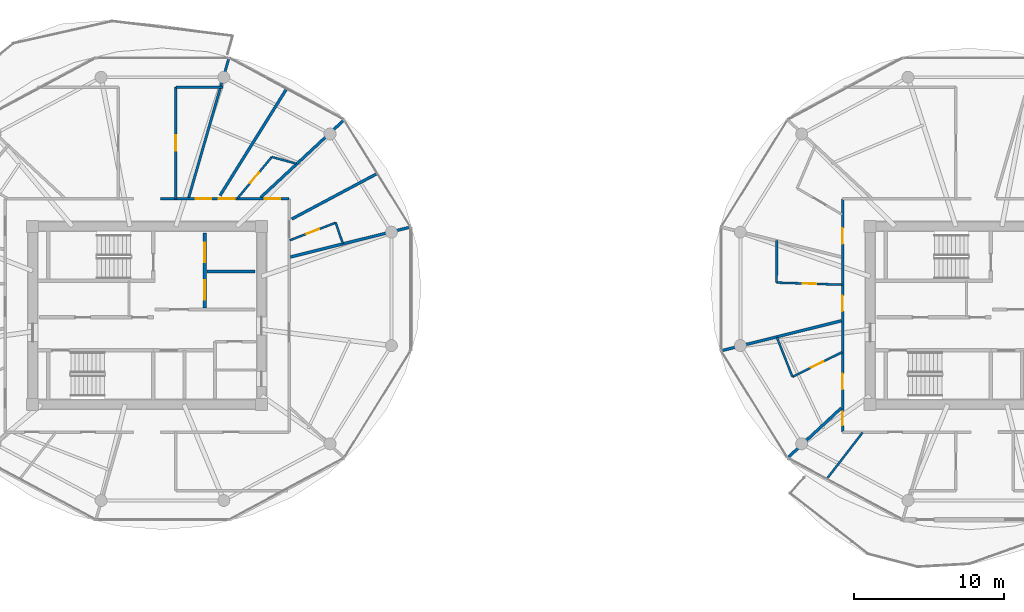
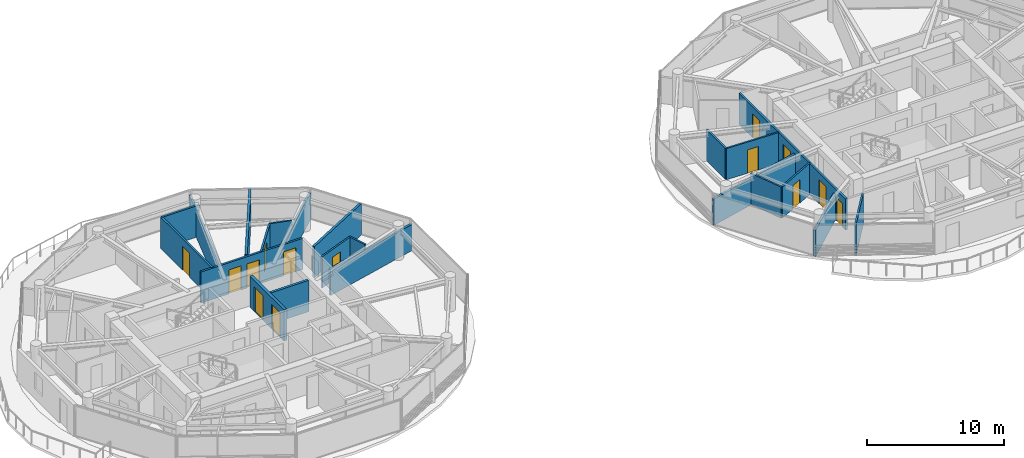
# One storey, part 14 of 22: 22 walls, 14 doors, 14 openings.
"""IFC4 building model written with IfcOpenShell, lengths in metres."""

from ifc_helpers import new_model, si_unit, direction, frame, frame_2d, origin, place, context, subcontext, project, spatial, rectangle, extrude, source, transform, mapped, material, layer, layer_set, type_object, type_shapes, element, fill, save


model = new_model("IFC4")

# Units and contexts
model_context = context("Model", 3, precision=1e-05, world=origin(), true_north=direction((0.0, 1.0)))
body_context = subcontext(model_context, "Body", "Model", "MODEL_VIEW")
ifc_project = project(units=[si_unit("LENGTHUNIT", "METRE"), si_unit("AREAUNIT", "SQUARE_METRE"), si_unit("VOLUMEUNIT", "CUBIC_METRE"), si_unit("PLANEANGLEUNIT", "RADIAN"), si_unit("MASSUNIT", "GRAM", prefix="KILO")], contexts=[model_context])

# Site, building, storey
site_placement = place(None, origin())
site = spatial("IfcSite", under=ifc_project, at=site_placement, CompositionType="ELEMENT")
building_placement = place(site_placement, origin())
building = spatial("IfcBuilding", under=site, at=building_placement, Name="Norrkilde Senior Care Towers", CompositionType="ELEMENT")
storey_placement = place(building_placement, frame((0.0, 0.0, 152.60009765625)))
storey = spatial("IfcBuildingStorey", under=building, at=storey_placement, Name="L47", CompositionType="ELEMENT", Elevation=152.60009765625)

# Wall, openings, doors
ifc_material_1 = material(Name="Concrete C45/55", Category="concrete")
ifc_layer_1 = layer(ifc_material_1, 0.239990234375)
ifc_layer_set_1 = layer_set([ifc_layer_1], Name="Concrete C45/55")
wall_type_1 = type_object("IfcWallType", Name="Lift and Plant Rated Enclosure Partition 240", PredefinedType="PARTITIONING", material=ifc_layer_set_1)
shared_shape_1 = source(origin(), body_context, "Body", "SweptSolid", [
    extrude(rectangle(XDim=5.0, YDim=0.239990234375, at=frame_2d((2.5, 0.0))), origin(), (0.0, 0.0, 1.0), 2.794921875),
])
type_shapes(wall_type_1, [shared_shape_1])
wall_1_placement = place(storey_placement, frame((-24.139892578125, 0.5, 0.0), z_axis=(0.0, 0.0, 1.0), x_axis=(0.0, 1.0, 0.0)))
wall_1 = element("IfcWall", 1, at=wall_1_placement, inside=storey, type_object=wall_type_1, Name="WL-INT-L47-W-FFLE", PredefinedType="PARTITIONING", context=body_context, shape_type="MappedRepresentation", body=[
    mapped(shared_shape_1, transform((0.0, 0.0, 0.0), x_axis=(1.0, 0.0, 0.0), y_axis=(0.0, 1.0, 0.0), z_axis=(0.0, 0.0, 1.0), scale=1.0)),
])
opening_1_placement = place(wall_1_placement, frame((3.050048828125, 0.0, 0.0)))
opening_1 = element("IfcOpeningElement", 2, at=opening_1_placement, cuts=wall_1, Name="Opening LD-02", PredefinedType="OPENING", context=body_context, shape_type="SweptSolid", body=[
    extrude(rectangle(XDim=1.300048828125, YDim=2.199951171875, at=frame_2d((0.64990234375, 1.10009765625))), frame((0.0, 0.1298828125, 0.0), z_axis=(0.0, -1.0, 0.0), x_axis=(1.0, 0.0, 0.0)), (0.0, 0.0, 1.0), 0.260009765625),
])
opening_2_placement = place(wall_1_placement, frame((0.550048828125, 0.0, 0.0)))
opening_2 = element("IfcOpeningElement", 3, at=opening_2_placement, cuts=wall_1, Name="Opening LD-02", PredefinedType="OPENING", context=body_context, shape_type="SweptSolid", body=[
    extrude(rectangle(XDim=1.300048828125, YDim=2.199951171875, at=frame_2d((0.64990234375, 1.10009765625))), frame((0.0, 0.1298828125, 0.0), z_axis=(0.0, -1.0, 0.0), x_axis=(1.0, 0.0, 0.0)), (0.0, 0.0, 1.0), 0.260009765625),
])
ifc_material_2 = material(Name="Stainless Steel", Category="steel")
door_type_1 = type_object("IfcDoorType", Name="Stretcher and FFL Landing Sliding Door 1300x2200", OperationType="NOTDEFINED", PredefinedType="DOOR", material=ifc_material_2)
shared_shape_2 = source(origin(), body_context, "Body", "SweptSolid", [
    extrude(rectangle(XDim=1.300048828125, YDim=2.199951171875, at=frame_2d((0.64990234375, 1.10009765625))), frame((0.0, 0.02490234375, 0.0), z_axis=(0.0, -1.0, 0.0), x_axis=(1.0, 0.0, 0.0)), (0.0, 0.0, 1.0), 0.050048828125),
])
type_shapes(door_type_1, [shared_shape_2])
door_1_placement = place(opening_1_placement, origin())
door_1 = element("IfcDoor", 4, at=door_1_placement, inside=storey, type_object=door_type_1, Name="L47 Firefighting Lift W1 Landing Door", OperationType="SLIDING_TO_LEFT", OverallHeight=2.199951171875, OverallWidth=1.300048828125, PredefinedType="DOOR", context=body_context, shape_type="MappedRepresentation", body=[
    mapped(shared_shape_2, transform((0.0, 0.0, 0.0), x_axis=(1.0, 0.0, 0.0), y_axis=(0.0, 1.0, 0.0), z_axis=(0.0, 0.0, 1.0), scale=1.0)),
])
fill(opening_1, door_1)
door_2_placement = place(opening_2_placement, origin())
door_2 = element("IfcDoor", 5, at=door_2_placement, inside=storey, type_object=door_type_1, Name="L47 Stretcher Lift W1 Landing Door", OperationType="SLIDING_TO_RIGHT", OverallHeight=2.199951171875, OverallWidth=1.300048828125, PredefinedType="DOOR", context=body_context, shape_type="MappedRepresentation", body=[
    mapped(shared_shape_2, transform((0.0, 0.0, 0.0), x_axis=(1.0, 0.0, 0.0), y_axis=(0.0, 1.0, 0.0), z_axis=(0.0, 0.0, 1.0), scale=1.0)),
])
fill(opening_2, door_2)

# Wall
ifc_layer_2 = layer(ifc_material_1, 0.199951171875)
ifc_layer_set_2 = layer_set([ifc_layer_2], Name="Concrete C45/55")
wall_type_2 = type_object("IfcWallType", Name="Shaft Division and Plant Partition 200", PredefinedType="PARTITIONING", material=ifc_layer_set_2)
shared_shape_3 = source(origin(), body_context, "Body", "SweptSolid", [
    extrude(rectangle(XDim=3.199951171875, YDim=0.199951171875, at=frame_2d((1.60009765625, 0.0))), origin(), (0.0, 0.0, 1.0), 2.794921875),
])
type_shapes(wall_type_2, [shared_shape_3])
wall_2_placement = place(storey_placement, frame((-24.0, 2.949951171875, 0.0), z_axis=(0.0, 0.0, 1.0), x_axis=(1.0, 0.0, 0.0)))
element("IfcWall", 6, at=wall_2_placement, inside=storey, type_object=wall_type_2, Name="WL-INT-L47-W-FFLDIV", PredefinedType="PARTITIONING", context=body_context, shape_type="MappedRepresentation", body=[
    mapped(shared_shape_3, transform((0.0, 0.0, 0.0), x_axis=(1.0, 0.0, 0.0), y_axis=(0.0, 1.0, 0.0), z_axis=(0.0, 0.0, 1.0), scale=1.0)),
])

# Wall, openings, doors
ifc_material_3 = material(Name="Gypsum Acoustic Board")
ifc_layer_3 = layer(ifc_material_3, 0.1650390625)
ifc_layer_set_3 = layer_set([ifc_layer_3], Name="Gypsum Acoustic Board")
wall_type_3 = type_object("IfcWallType", Name="Corridor Rated Partition 165", PredefinedType="PARTITIONING", material=ifc_layer_set_3)
shared_shape_4 = source(origin(), body_context, "Body", "SweptSolid", [
    extrude(rectangle(XDim=8.60009765625, YDim=0.1650390625, at=frame_2d((4.300048828125, 0.0))), origin(), (0.0, 0.0, 1.0), 2.794921875),
])
wall_3_placement = place(storey_placement, frame((-27.10009765625, 7.800048828125, 0.0), z_axis=(0.0, 0.0, 1.0), x_axis=(1.0, 0.0, 0.0)))
wall_3 = element("IfcWall", 7, at=wall_3_placement, inside=storey, type_object=wall_type_3, Name="WL-INT-L47-W-CRW-N-1", PredefinedType="PARTITIONING", context=body_context, shape_type="MappedRepresentation", body=[
    mapped(shared_shape_4, transform((0.0, 0.0, 0.0), x_axis=(1.0, 0.0, 0.0), y_axis=(0.0, 1.0, 0.0), z_axis=(0.0, 0.0, 1.0), scale=1.0)),
])
opening_3_placement = place(wall_3_placement, frame((6.9599609375, 0.0, 0.0)))
opening_3 = element("IfcOpeningElement", 8, at=opening_3_placement, cuts=wall_3, Name="Opening D-06", PredefinedType="OPENING", context=body_context, shape_type="SweptSolid", body=[
    extrude(rectangle(XDim=1.050048828125, YDim=2.14990234375, at=frame_2d((0.52490234375, 1.074951171875))), frame((0.0, 0.092529296875, 0.0), z_axis=(0.0, -1.0, 0.0), x_axis=(1.0, 0.0, 0.0)), (0.0, 0.0, 1.0), 0.18505859375),
])
opening_4_placement = place(wall_3_placement, frame((3.904052734375, 0.0, 0.0)))
opening_4 = element("IfcOpeningElement", 9, at=opening_4_placement, cuts=wall_3, Name="Opening D-06", PredefinedType="OPENING", context=body_context, shape_type="SweptSolid", body=[
    extrude(rectangle(XDim=1.050048828125, YDim=2.14990234375, at=frame_2d((0.52490234375, 1.074951171875))), frame((0.0, 0.092529296875, 0.0), z_axis=(0.0, -1.0, 0.0), x_axis=(1.0, 0.0, 0.0)), (0.0, 0.0, 1.0), 0.18505859375),
])
opening_5_placement = place(wall_3_placement, frame((2.347412109375, 0.0, 0.0)))
opening_5 = element("IfcOpeningElement", 10, at=opening_5_placement, cuts=wall_3, Name="Opening D-06", PredefinedType="OPENING", context=body_context, shape_type="SweptSolid", body=[
    extrude(rectangle(XDim=1.050048828125, YDim=2.14990234375, at=frame_2d((0.52490234375, 1.074951171875))), frame((0.0, 0.092529296875, 0.0), z_axis=(0.0, -1.0, 0.0), x_axis=(1.0, 0.0, 0.0)), (0.0, 0.0, 1.0), 0.18505859375),
])
ifc_material_4 = material(Name="Nordic Ash Timber", Category="wood")
door_type_2 = type_object("IfcDoorType", Name="Apartment Entrance Fire Door 1050x2150", OperationType="NOTDEFINED", PredefinedType="DOOR", material=ifc_material_4)
shared_shape_5 = source(origin(), body_context, "Body", "SweptSolid", [
    extrude(rectangle(XDim=1.050048828125, YDim=2.14990234375, at=frame_2d((0.52490234375, 1.074951171875))), frame((0.0, 0.02490234375, 0.0), z_axis=(0.0, -1.0, 0.0), x_axis=(1.0, 0.0, 0.0)), (0.0, 0.0, 1.0), 0.050048828125),
])
type_shapes(door_type_2, [shared_shape_5])
door_3_placement = place(opening_3_placement, frame((1.050048828125, 0.0, 0.0), z_axis=(0.0, 0.0, 1.0), x_axis=(-1.0, 0.0, 0.0)))
door_3 = element("IfcDoor", 11, at=door_3_placement, inside=storey, type_object=door_type_2, Name="L47 Therapy Day Lounge 00 Door", OperationType="SINGLE_SWING_RIGHT", OverallHeight=2.14990234375, OverallWidth=1.050048828125, PredefinedType="DOOR", context=body_context, shape_type="MappedRepresentation", body=[
    mapped(shared_shape_5, transform((0.0, 0.0, 0.0), x_axis=(1.0, 0.0, 0.0), y_axis=(0.0, 1.0, 0.0), z_axis=(0.0, 0.0, 1.0), scale=1.0)),
])
fill(opening_3, door_3)
door_4_placement = place(opening_4_placement, frame((1.050048828125, 0.0, 0.0), z_axis=(0.0, 0.0, 1.0), x_axis=(-1.0, 0.0, 0.0)))
door_4 = element("IfcDoor", 12, at=door_4_placement, inside=storey, type_object=door_type_2, Name="L47 Care Suite 4701A Entrance Door", OperationType="SINGLE_SWING_LEFT", OverallHeight=2.14990234375, OverallWidth=1.050048828125, PredefinedType="DOOR", context=body_context, shape_type="MappedRepresentation", body=[
    mapped(shared_shape_5, transform((0.0, 0.0, 0.0), x_axis=(1.0, 0.0, 0.0), y_axis=(0.0, 1.0, 0.0), z_axis=(0.0, 0.0, 1.0), scale=1.0)),
])
fill(opening_4, door_4)
door_5_placement = place(opening_5_placement, frame((1.050048828125, 0.0, 0.0), z_axis=(0.0, 0.0, 1.0), x_axis=(-1.0, 0.0, 0.0)))
door_5 = element("IfcDoor", 13, at=door_5_placement, inside=storey, type_object=door_type_2, Name="L47 Therapy Day Lounge 01 Door", OperationType="SINGLE_SWING_LEFT", OverallHeight=2.14990234375, OverallWidth=1.050048828125, PredefinedType="DOOR", context=body_context, shape_type="MappedRepresentation", body=[
    mapped(shared_shape_5, transform((0.0, 0.0, 0.0), x_axis=(1.0, 0.0, 0.0), y_axis=(0.0, 1.0, 0.0), z_axis=(0.0, 0.0, 1.0), scale=1.0)),
])
fill(opening_5, door_5)

shared_shape_6 = source(origin(), body_context, "Body", "SweptSolid", [
    extrude(rectangle(XDim=15.60009765625, YDim=0.1650390625, at=frame_2d((7.800048828125, 0.0))), origin(), (0.0, 0.0, 1.0), 2.794921875),
])
wall_4_placement = place(storey_placement, frame((18.5, -7.800048828125, 0.0), z_axis=(0.0, 0.0, 1.0), x_axis=(0.0, 1.0, 0.0)))
wall_4 = element("IfcWall", 14, at=wall_4_placement, inside=storey, type_object=wall_type_3, Name="WL-INT-L47-E-CRW-W-0", PredefinedType="PARTITIONING", context=body_context, shape_type="MappedRepresentation", body=[
    mapped(shared_shape_6, transform((0.0, 0.0, 0.0), x_axis=(1.0, 0.0, 0.0), y_axis=(0.0, 1.0, 0.0), z_axis=(0.0, 0.0, 1.0), scale=1.0)),
])
opening_6_placement = place(wall_4_placement, frame((12.590576171875, 0.0, 0.0)))
opening_6 = element("IfcOpeningElement", 15, at=opening_6_placement, cuts=wall_4, Name="Opening D-06", PredefinedType="OPENING", context=body_context, shape_type="SweptSolid", body=[
    extrude(rectangle(XDim=1.050048828125, YDim=2.14990234375, at=frame_2d((0.52490234375, 1.074951171875))), frame((0.0, 0.092529296875, 0.0), z_axis=(0.0, -1.0, 0.0), x_axis=(1.0, 0.0, 0.0)), (0.0, 0.0, 1.0), 0.18505859375),
])
opening_7_placement = place(wall_4_placement, frame((8.0810546875, 0.0, 0.0)))
opening_7 = element("IfcOpeningElement", 16, at=opening_7_placement, cuts=wall_4, Name="Opening D-06", PredefinedType="OPENING", context=body_context, shape_type="SweptSolid", body=[
    extrude(rectangle(XDim=1.050048828125, YDim=2.14990234375, at=frame_2d((0.52490234375, 1.074951171875))), frame((0.0, 0.092529296875, 0.0), z_axis=(0.0, -1.0, 0.0), x_axis=(1.0, 0.0, 0.0)), (0.0, 0.0, 1.0), 0.18505859375),
])
opening_8_placement = place(wall_4_placement, frame((2.853515625, 0.0, 0.0)))
opening_8 = element("IfcOpeningElement", 17, at=opening_8_placement, cuts=wall_4, Name="Opening D-06", PredefinedType="OPENING", context=body_context, shape_type="SweptSolid", body=[
    extrude(rectangle(XDim=1.050048828125, YDim=2.14990234375, at=frame_2d((0.52490234375, 1.074951171875))), frame((0.0, 0.092529296875, 0.0), z_axis=(0.0, -1.0, 0.0), x_axis=(1.0, 0.0, 0.0)), (0.0, 0.0, 1.0), 0.18505859375),
])
opening_9_placement = place(wall_4_placement, frame((0.452392578125, 0.0, 0.0)))
opening_9 = element("IfcOpeningElement", 18, at=opening_9_placement, cuts=wall_4, Name="Opening D-08", PredefinedType="OPENING", context=body_context, shape_type="SweptSolid", body=[
    extrude(rectangle(XDim=0.919921875, YDim=2.10009765625, at=frame_2d((0.4599609375, 1.050048828125))), frame((0.0, 0.092529296875, 0.0), z_axis=(0.0, -1.0, 0.0), x_axis=(1.0, 0.0, 0.0)), (0.0, 0.0, 1.0), 0.18505859375),
])
door_type_3 = type_object("IfcDoorType", Name="Accessible Wet Room Door 920x2100", OperationType="NOTDEFINED", PredefinedType="DOOR", material=ifc_material_4)
shared_shape_7 = source(origin(), body_context, "Body", "SweptSolid", [
    extrude(rectangle(XDim=0.919921875, YDim=2.10009765625, at=frame_2d((0.4599609375, 1.050048828125))), frame((0.0, 0.02490234375, 0.0), z_axis=(0.0, -1.0, 0.0), x_axis=(1.0, 0.0, 0.0)), (0.0, 0.0, 1.0), 0.050048828125),
])
type_shapes(door_type_3, [shared_shape_7])
door_6_placement = place(opening_9_placement, frame((0.919921875, 0.0, 0.0), z_axis=(0.0, 0.0, 1.0), x_axis=(-1.0, 0.0, 0.0)))
door_6 = element("IfcDoor", 19, at=door_6_placement, inside=storey, type_object=door_type_3, Name="L47 Accessible Restroom Door", OperationType="SINGLE_SWING_RIGHT", OverallHeight=2.10009765625, OverallWidth=0.919921875, PredefinedType="DOOR", context=body_context, shape_type="MappedRepresentation", body=[
    mapped(shared_shape_7, transform((0.0, 0.0, 0.0), x_axis=(1.0, 0.0, 0.0), y_axis=(0.0, 1.0, 0.0), z_axis=(0.0, 0.0, 1.0), scale=1.0)),
])
fill(opening_9, door_6)
door_7_placement = place(opening_6_placement, frame((1.050048828125, 0.0, 0.0), z_axis=(0.0, 0.0, 1.0), x_axis=(-1.0, 0.0, 0.0)))
door_7 = element("IfcDoor", 20, at=door_7_placement, inside=storey, type_object=door_type_2, Name="L47 Studio 47A Entrance Door", OperationType="SINGLE_SWING_LEFT", OverallHeight=2.14990234375, OverallWidth=1.050048828125, PredefinedType="DOOR", context=body_context, shape_type="MappedRepresentation", body=[
    mapped(shared_shape_5, transform((0.0, 0.0, 0.0), x_axis=(1.0, 0.0, 0.0), y_axis=(0.0, 1.0, 0.0), z_axis=(0.0, 0.0, 1.0), scale=1.0)),
])
fill(opening_6, door_7)
door_8_placement = place(opening_7_placement, frame((1.050048828125, 0.0, 0.0), z_axis=(0.0, 0.0, 1.0), x_axis=(-1.0, 0.0, 0.0)))
door_8 = element("IfcDoor", 21, at=door_8_placement, inside=storey, type_object=door_type_2, Name="L47 Studio 47B Entrance Door", OperationType="SINGLE_SWING_RIGHT", OverallHeight=2.14990234375, OverallWidth=1.050048828125, PredefinedType="DOOR", context=body_context, shape_type="MappedRepresentation", body=[
    mapped(shared_shape_5, transform((0.0, 0.0, 0.0), x_axis=(1.0, 0.0, 0.0), y_axis=(0.0, 1.0, 0.0), z_axis=(0.0, 0.0, 1.0), scale=1.0)),
])
fill(opening_7, door_8)
door_9_placement = place(opening_8_placement, frame((1.050048828125, 0.0, 0.0), z_axis=(0.0, 0.0, 1.0), x_axis=(-1.0, 0.0, 0.0)))
door_9 = element("IfcDoor", 22, at=door_9_placement, inside=storey, type_object=door_type_2, Name="L47 Studio 47C Entrance Door", OperationType="SINGLE_SWING_LEFT", OverallHeight=2.14990234375, OverallWidth=1.050048828125, PredefinedType="DOOR", context=body_context, shape_type="MappedRepresentation", body=[
    mapped(shared_shape_5, transform((0.0, 0.0, 0.0), x_axis=(1.0, 0.0, 0.0), y_axis=(0.0, 1.0, 0.0), z_axis=(0.0, 0.0, 1.0), scale=1.0)),
])
fill(opening_8, door_9)

# Walls
shared_shape_8 = source(origin(), body_context, "Body", "SweptSolid", [
    extrude(rectangle(XDim=9.73046875, YDim=0.1650390625, at=frame_2d((4.865234375, 0.0))), origin(), (0.0, 0.0, 1.0), 2.344970703125),
])
wall_5_placement = place(storey_placement, frame((-25.216552734375, 7.8798828125, 0.0), z_axis=(0.0, 0.0, 1.0), x_axis=(0.27679492614, 0.960929013436, 0.0)))
element("IfcWall", 23, at=wall_5_placement, inside=storey, type_object=wall_type_3, Name="WL-INT-L47-W-DEM-02-0", PredefinedType="PARTITIONING", context=body_context, shape_type="MappedRepresentation", body=[
    mapped(shared_shape_8, transform((0.0, 0.0, 0.0), x_axis=(1.0, 0.0, 0.0), y_axis=(0.0, 1.0, 0.0), z_axis=(0.0, 0.0, 1.0), scale=1.0)),
])
ifc_layer_4 = layer(ifc_material_3, 0.18994140625)
ifc_layer_set_4 = layer_set([ifc_layer_4], Name="Gypsum Acoustic Board")
wall_type_4 = type_object("IfcWallType", Name="Unit Demising Acoustic Wall 190", PredefinedType="PARTITIONING", material=ifc_layer_set_4)
shared_shape_9 = source(origin(), body_context, "Body", "SweptSolid", [
    extrude(rectangle(XDim=8.305419921875, YDim=0.18994140625, at=frame_2d((4.15283203125, 0.0))), origin(), (0.0, 0.0, 1.0), 2.344970703125),
])
for number, where, z_axis, x_axis, name in (
    (24, (-18.419921875, 3.90771484375, 0.0), (0.0, 0.0, 1.0), (0.970309994378, 0.241864662175, 0.0), "WL-INT-L47-W-DEM-00-0"),
    (25, (18.419921875, -0.35693359375, 0.0), (0.0, 0.0, 1.0), (-0.970309994378, -0.241864662175, 0.0), "WL-INT-L47-E-DEM-06-0"),
):
    element("IfcWall", number, at=place(storey_placement, frame(where, z_axis=z_axis, x_axis=x_axis)), inside=storey, type_object=wall_type_4, Name=name, PredefinedType="PARTITIONING", context=body_context, shape_type="MappedRepresentation", body=[
        mapped(shared_shape_9, transform((0.0, 0.0, 0.0), x_axis=(1.0, 0.0, 0.0), y_axis=(0.0, 1.0, 0.0), z_axis=(0.0, 0.0, 1.0), scale=1.0)),
    ])
shared_shape_10 = source(origin(), body_context, "Body", "SweptSolid", [
    extrude(rectangle(XDim=7.648193359375, YDim=0.18994140625, at=frame_2d((3.82421875, 0.0))), origin(), (0.0, 0.0, 1.0), 2.344970703125),
])
wall_6_placement = place(storey_placement, frame((-20.41259765625, 7.8798828125, 0.0), z_axis=(0.0, 0.0, 1.0), x_axis=(0.732182665826, 0.681108320213, 0.0)))
element("IfcWall", 26, at=wall_6_placement, inside=storey, type_object=wall_type_4, Name="WL-INT-L47-W-DEM-01-0", PredefinedType="PARTITIONING", context=body_context, shape_type="MappedRepresentation", body=[
    mapped(shared_shape_10, transform((0.0, 0.0, 0.0), x_axis=(1.0, 0.0, 0.0), y_axis=(0.0, 1.0, 0.0), z_axis=(0.0, 0.0, 1.0), scale=1.0)),
])
shared_shape_11 = source(origin(), body_context, "Body", "SweptSolid", [
    extrude(rectangle(XDim=6.4990234375, YDim=0.18994140625, at=frame_2d((3.24951171875, 0.0))), origin(), (0.0, 0.0, 1.0), 2.794921875),
])
wall_7_placement = place(storey_placement, frame((-18.32373046875, 6.44873046875, 0.0), z_axis=(0.0, 0.0, 1.0), x_axis=(0.882715595921, 0.469907625729, 0.0)))
element("IfcWall", 27, at=wall_7_placement, inside=storey, type_object=wall_type_4, Name="WL-INT-L47-W-CMID-00", PredefinedType="PARTITIONING", context=body_context, shape_type="MappedRepresentation", body=[
    mapped(shared_shape_11, transform((0.0, 0.0, 0.0), x_axis=(1.0, 0.0, 0.0), y_axis=(0.0, 1.0, 0.0), z_axis=(0.0, 0.0, 1.0), scale=1.0)),
])

# Wall, opening, door
ifc_layer_5 = layer(ifc_material_3, 0.139892578125)
ifc_layer_set_5 = layer_set([ifc_layer_5], Name="Gypsum Acoustic Board")
wall_type_5 = type_object("IfcWallType", Name="En-suite Wet Room Wall 140", PredefinedType="PARTITIONING", material=ifc_layer_set_5)
shared_shape_12 = source(origin(), body_context, "Body", "SweptSolid", [
    extrude(rectangle(XDim=3.295166015625, YDim=0.139892578125, at=frame_2d((1.6474609375, 0.0))), origin(), (0.0, 0.0, 1.0), 2.794921875),
])
wall_8_placement = place(storey_placement, frame((-18.469970703125, 5.022705078125, 0.0), z_axis=(0.0, 0.0, 1.0), x_axis=(0.934202224769, 0.356743890258, 0.0)))
wall_8 = element("IfcWall", 28, at=wall_8_placement, inside=storey, type_object=wall_type_5, Name="WL-INT-L47-W-ES-00A", PredefinedType="PARTITIONING", context=body_context, shape_type="MappedRepresentation", body=[
    mapped(shared_shape_12, transform((0.0, 0.0, 0.0), x_axis=(1.0, 0.0, 0.0), y_axis=(0.0, 1.0, 0.0), z_axis=(0.0, 0.0, 1.0), scale=1.0)),
])
opening_10_placement = place(wall_8_placement, frame((1.1875, 0.0, 0.0)))
opening_10 = element("IfcOpeningElement", 29, at=opening_10_placement, cuts=wall_8, Name="Opening D-08", PredefinedType="OPENING", context=body_context, shape_type="SweptSolid", body=[
    extrude(rectangle(XDim=0.919921875, YDim=2.10009765625, at=frame_2d((0.4599609375, 1.050048828125))), frame((0.0, 0.079833984375, 0.0), z_axis=(0.0, -1.0, 0.0), x_axis=(1.0, 0.0, 0.0)), (0.0, 0.0, 1.0), 0.159912109375),
])
door_10_placement = place(opening_10_placement, origin())
door_10 = element("IfcDoor", 30, at=door_10_placement, inside=storey, type_object=door_type_3, Name="L47 Care Suite 4700A Bathroom Door", OperationType="SINGLE_SWING_LEFT", OverallHeight=2.10009765625, OverallWidth=0.919921875, PredefinedType="DOOR", context=body_context, shape_type="MappedRepresentation", body=[
    mapped(shared_shape_7, transform((0.0, 0.0, 0.0), x_axis=(1.0, 0.0, 0.0), y_axis=(0.0, 1.0, 0.0), z_axis=(0.0, 0.0, 1.0), scale=1.0)),
])
fill(opening_10, door_10)

# Walls
shared_shape_13 = source(origin(), body_context, "Body", "SweptSolid", [
    extrude(rectangle(XDim=1.478759765625, YDim=0.139892578125, at=frame_2d((0.7392578125, 0.0))), origin(), (0.0, 0.0, 1.0), 2.794921875),
])
wall_9_placement = place(storey_placement, frame((-15.3916015625, 6.1982421875, 0.0), z_axis=(0.0, 0.0, 1.0), x_axis=(0.324438293903, -0.945906862989, 0.0)))
element("IfcWall", 31, at=wall_9_placement, inside=storey, type_object=wall_type_5, Name="WL-INT-L47-W-EF-00A", PredefinedType="PARTITIONING", context=body_context, shape_type="MappedRepresentation", body=[
    mapped(shared_shape_13, transform((0.0, 0.0, 0.0), x_axis=(1.0, 0.0, 0.0), y_axis=(0.0, 1.0, 0.0), z_axis=(0.0, 0.0, 1.0), scale=1.0)),
])
shared_shape_14 = source(origin(), body_context, "Body", "SweptSolid", [
    extrude(rectangle(XDim=8.42236328125, YDim=0.18994140625, at=frame_2d((4.211181640625, 0.0))), origin(), (0.0, 0.0, 1.0), 2.794921875),
])
wall_10_placement = place(storey_placement, frame((-23.12548828125, 8.013671875, 0.0), z_axis=(0.0, 0.0, 1.0), x_axis=(0.52925352896, 0.848463730565, 0.0)))
element("IfcWall", 32, at=wall_10_placement, inside=storey, type_object=wall_type_4, Name="WL-INT-L47-W-CMID-01", PredefinedType="PARTITIONING", context=body_context, shape_type="MappedRepresentation", body=[
    mapped(shared_shape_14, transform((0.0, 0.0, 0.0), x_axis=(1.0, 0.0, 0.0), y_axis=(0.0, 1.0, 0.0), z_axis=(0.0, 0.0, 1.0), scale=1.0)),
])

# Wall, opening, door
shared_shape_15 = source(origin(), body_context, "Body", "SweptSolid", [
    extrude(rectangle(XDim=3.59326171875, YDim=0.139892578125, at=frame_2d((1.796630859375, 0.0))), origin(), (0.0, 0.0, 1.0), 2.794921875),
])
wall_11_placement = place(storey_placement, frame((-21.955322265625, 7.830078125, 0.0), z_axis=(0.0, 0.0, 1.0), x_axis=(0.638271060163, 0.769811700196, 0.0)))
wall_11 = element("IfcWall", 33, at=wall_11_placement, inside=storey, type_object=wall_type_5, Name="WL-INT-L47-W-ES-01A", PredefinedType="PARTITIONING", context=body_context, shape_type="MappedRepresentation", body=[
    mapped(shared_shape_15, transform((0.0, 0.0, 0.0), x_axis=(1.0, 0.0, 0.0), y_axis=(0.0, 1.0, 0.0), z_axis=(0.0, 0.0, 1.0), scale=1.0)),
])
opening_11_placement = place(wall_11_placement, frame((1.336669921875, 0.0, 0.0)))
opening_11 = element("IfcOpeningElement", 34, at=opening_11_placement, cuts=wall_11, Name="Opening D-08", PredefinedType="OPENING", context=body_context, shape_type="SweptSolid", body=[
    extrude(rectangle(XDim=0.919921875, YDim=2.10009765625, at=frame_2d((0.4599609375, 1.050048828125))), frame((0.0, 0.079833984375, 0.0), z_axis=(0.0, -1.0, 0.0), x_axis=(1.0, 0.0, 0.0)), (0.0, 0.0, 1.0), 0.159912109375),
])
door_11_placement = place(opening_11_placement, origin())
door_11 = element("IfcDoor", 35, at=door_11_placement, inside=storey, type_object=door_type_3, Name="L47 Care Suite 4701A Bathroom Door", OperationType="SINGLE_SWING_RIGHT", OverallHeight=2.10009765625, OverallWidth=0.919921875, PredefinedType="DOOR", context=body_context, shape_type="MappedRepresentation", body=[
    mapped(shared_shape_7, transform((0.0, 0.0, 0.0), x_axis=(1.0, 0.0, 0.0), y_axis=(0.0, 1.0, 0.0), z_axis=(0.0, 0.0, 1.0), scale=1.0)),
])
fill(opening_11, door_11)

# Wall
shared_shape_16 = source(origin(), body_context, "Body", "SweptSolid", [
    extrude(rectangle(XDim=1.69677734375, YDim=0.139892578125, at=frame_2d((0.848388671875, 0.0))), origin(), (0.0, 0.0, 1.0), 2.794921875),
])
wall_12_placement = place(storey_placement, frame((-19.661865234375, 10.59619140625, 0.0), z_axis=(0.0, 0.0, 1.0), x_axis=(0.964667458123, -0.263470482671, 0.0)))
element("IfcWall", 36, at=wall_12_placement, inside=storey, type_object=wall_type_5, Name="WL-INT-L47-W-EF-01A", PredefinedType="PARTITIONING", context=body_context, shape_type="MappedRepresentation", body=[
    mapped(shared_shape_16, transform((0.0, 0.0, 0.0), x_axis=(1.0, 0.0, 0.0), y_axis=(0.0, 1.0, 0.0), z_axis=(0.0, 0.0, 1.0), scale=1.0)),
])

# Wall, opening, door
shared_shape_17 = source(origin(), body_context, "Body", "SweptSolid", [
    extrude(rectangle(XDim=7.46533203125, YDim=0.1650390625, at=frame_2d((3.732666015625, 0.0))), origin(), (0.0, 0.0, 1.0), 2.794921875),
])
wall_13_placement = place(storey_placement, frame((-26.080078125, 7.800048828125, 0.0), z_axis=(0.0, 0.0, 1.0), x_axis=(0.0, 1.0, 0.0)))
wall_13 = element("IfcWall", 37, at=wall_13_placement, inside=storey, type_object=wall_type_3, Name="WL-INT-L47-W-PKW-NEL", PredefinedType="PARTITIONING", context=body_context, shape_type="MappedRepresentation", body=[
    mapped(shared_shape_17, transform((0.0, 0.0, 0.0), x_axis=(1.0, 0.0, 0.0), y_axis=(0.0, 1.0, 0.0), z_axis=(0.0, 0.0, 1.0), scale=1.0)),
])
opening_12_placement = place(wall_13_placement, frame((3.207763671875, 0.0, 0.0)))
opening_12 = element("IfcOpeningElement", 38, at=opening_12_placement, cuts=wall_13, Name="Opening D-06", PredefinedType="OPENING", context=body_context, shape_type="SweptSolid", body=[
    extrude(rectangle(XDim=1.050048828125, YDim=2.14990234375, at=frame_2d((0.52490234375, 1.074951171875))), frame((0.0, 0.092529296875, 0.0), z_axis=(0.0, -1.0, 0.0), x_axis=(1.0, 0.0, 0.0)), (0.0, 0.0, 1.0), 0.18505859375),
])
door_12_placement = place(opening_12_placement, frame((1.050048828125, 0.0, 0.0), z_axis=(0.0, 0.0, 1.0), x_axis=(-1.0, 0.0, 0.0)))
door_12 = element("IfcDoor", 39, at=door_12_placement, inside=storey, type_object=door_type_2, Name="L47 Reading Lounge NEL Door", OperationType="SINGLE_SWING_RIGHT", OverallHeight=2.14990234375, OverallWidth=1.050048828125, PredefinedType="DOOR", context=body_context, shape_type="MappedRepresentation", body=[
    mapped(shared_shape_5, transform((0.0, 0.0, 0.0), x_axis=(1.0, 0.0, 0.0), y_axis=(0.0, 1.0, 0.0), z_axis=(0.0, 0.0, 1.0), scale=1.0)),
])
fill(opening_12, door_12)

# Wall
shared_shape_18 = source(origin(), body_context, "Body", "SweptSolid", [
    extrude(rectangle(XDim=3.148681640625, YDim=0.1650390625, at=frame_2d((1.57421875, 0.0))), origin(), (0.0, 0.0, 1.0), 2.794921875),
])
type_shapes(wall_type_3, [shared_shape_4, shared_shape_6, shared_shape_8, shared_shape_17, shared_shape_18])
wall_14_placement = place(storey_placement, frame((-26.080078125, 15.265380859375, 0.0), z_axis=(0.0, 0.0, 1.0), x_axis=(1.0, 0.0, 0.0)))
element("IfcWall", 40, at=wall_14_placement, inside=storey, type_object=wall_type_3, Name="WL-INT-L47-W-PKH-NEL-0", PredefinedType="PARTITIONING", context=body_context, shape_type="MappedRepresentation", body=[
    mapped(shared_shape_18, transform((0.0, 0.0, 0.0), x_axis=(1.0, 0.0, 0.0), y_axis=(0.0, 1.0, 0.0), z_axis=(0.0, 0.0, 1.0), scale=1.0)),
])

# Wall, opening, door
shared_shape_19 = source(origin(), body_context, "Body", "SweptSolid", [
    extrude(rectangle(XDim=4.376953125, YDim=0.139892578125, at=frame_2d((2.1884765625, 0.0))), origin(), (0.0, 0.0, 1.0), 2.794921875),
])
wall_15_placement = place(storey_placement, frame((18.469970703125, 2.05322265625, 0.0), z_axis=(0.0, 0.0, 1.0), x_axis=(-0.99946745582, 0.032631346225, 0.0)))
wall_15 = element("IfcWall", 41, at=wall_15_placement, inside=storey, type_object=wall_type_5, Name="WL-INT-L47-E-ES-05", PredefinedType="PARTITIONING", context=body_context, shape_type="MappedRepresentation", body=[
    mapped(shared_shape_19, transform((0.0, 0.0, 0.0), x_axis=(1.0, 0.0, 0.0), y_axis=(0.0, 1.0, 0.0), z_axis=(0.0, 0.0, 1.0), scale=1.0)),
])
opening_13_placement = place(wall_15_placement, frame((1.728515625, 0.0, 0.0)))
opening_13 = element("IfcOpeningElement", 42, at=opening_13_placement, cuts=wall_15, Name="Opening D-08", PredefinedType="OPENING", context=body_context, shape_type="SweptSolid", body=[
    extrude(rectangle(XDim=0.919921875, YDim=2.10009765625, at=frame_2d((0.4599609375, 1.050048828125))), frame((0.0, 0.079833984375, 0.0), z_axis=(0.0, -1.0, 0.0), x_axis=(1.0, 0.0, 0.0)), (0.0, 0.0, 1.0), 0.159912109375),
])
door_13_placement = place(opening_13_placement, origin())
door_13 = element("IfcDoor", 43, at=door_13_placement, inside=storey, type_object=door_type_3, Name="L47 Studio 47B Bathroom Door", OperationType="SINGLE_SWING_LEFT", OverallHeight=2.10009765625, OverallWidth=0.919921875, PredefinedType="DOOR", context=body_context, shape_type="MappedRepresentation", body=[
    mapped(shared_shape_7, transform((0.0, 0.0, 0.0), x_axis=(1.0, 0.0, 0.0), y_axis=(0.0, 1.0, 0.0), z_axis=(0.0, 0.0, 1.0), scale=1.0)),
])
fill(opening_13, door_13)

# Walls
shared_shape_20 = source(origin(), body_context, "Body", "SweptSolid", [
    extrude(rectangle(XDim=2.806396484375, YDim=0.139892578125, at=frame_2d((1.4033203125, 0.0))), origin(), (0.0, 0.0, 1.0), 2.794921875),
])
wall_16_placement = place(storey_placement, frame((14.095458984375, 2.196044921875, 0.0), z_axis=(0.0, 0.0, 1.0), x_axis=(0.002435834444, 0.999997033351, 0.0)))
element("IfcWall", 44, at=wall_16_placement, inside=storey, type_object=wall_type_5, Name="WL-INT-L47-E-EF-05", PredefinedType="PARTITIONING", context=body_context, shape_type="MappedRepresentation", body=[
    mapped(shared_shape_20, transform((0.0, 0.0, 0.0), x_axis=(1.0, 0.0, 0.0), y_axis=(0.0, 1.0, 0.0), z_axis=(0.0, 0.0, 1.0), scale=1.0)),
])
shared_shape_21 = source(origin(), body_context, "Body", "SweptSolid", [
    extrude(rectangle(XDim=4.926513671875, YDim=0.18994140625, at=frame_2d((2.46337890625, 0.0))), origin(), (0.0, 0.0, 1.0), 2.344970703125),
])
type_shapes(wall_type_4, [shared_shape_9, shared_shape_10, shared_shape_11, shared_shape_14, shared_shape_21])
wall_17_placement = place(storey_placement, frame((18.419921875, -6.182861328125, 0.0), z_axis=(0.0, 0.0, 1.0), x_axis=(-0.732191335987, -0.681098999783, 0.0)))
element("IfcWall", 45, at=wall_17_placement, inside=storey, type_object=wall_type_4, Name="WL-INT-L47-E-DEM-07-0", PredefinedType="PARTITIONING", context=body_context, shape_type="MappedRepresentation", body=[
    mapped(shared_shape_21, transform((0.0, 0.0, 0.0), x_axis=(1.0, 0.0, 0.0), y_axis=(0.0, 1.0, 0.0), z_axis=(0.0, 0.0, 1.0), scale=1.0)),
])

# Wall, opening, door
shared_shape_22 = source(origin(), body_context, "Body", "SweptSolid", [
    extrude(rectangle(XDim=3.706787109375, YDim=0.139892578125, at=frame_2d((1.853515625, 0.0))), origin(), (0.0, 0.0, 1.0), 2.794921875),
])
wall_18_placement = place(storey_placement, frame((18.469970703125, -2.455810546875, 0.0), z_axis=(0.0, 0.0, 1.0), x_axis=(-0.895347377717, -0.44536846904, 0.0)))
wall_18 = element("IfcWall", 46, at=wall_18_placement, inside=storey, type_object=wall_type_5, Name="WL-INT-L47-E-ES-06", PredefinedType="PARTITIONING", context=body_context, shape_type="MappedRepresentation", body=[
    mapped(shared_shape_22, transform((0.0, 0.0, 0.0), x_axis=(1.0, 0.0, 0.0), y_axis=(0.0, 1.0, 0.0), z_axis=(0.0, 0.0, 1.0), scale=1.0)),
])
opening_14_placement = place(wall_18_placement, frame((1.3935546875, 0.0, 0.0)))
opening_14 = element("IfcOpeningElement", 47, at=opening_14_placement, cuts=wall_18, Name="Opening D-08", PredefinedType="OPENING", context=body_context, shape_type="SweptSolid", body=[
    extrude(rectangle(XDim=0.919921875, YDim=2.10009765625, at=frame_2d((0.4599609375, 1.050048828125))), frame((0.0, 0.079833984375, 0.0), z_axis=(0.0, -1.0, 0.0), x_axis=(1.0, 0.0, 0.0)), (0.0, 0.0, 1.0), 0.159912109375),
])
door_14_placement = place(opening_14_placement, origin())
door_14 = element("IfcDoor", 48, at=door_14_placement, inside=storey, type_object=door_type_3, Name="L47 Studio 47C Bathroom Door", OperationType="SINGLE_SWING_RIGHT", OverallHeight=2.10009765625, OverallWidth=0.919921875, PredefinedType="DOOR", context=body_context, shape_type="MappedRepresentation", body=[
    mapped(shared_shape_7, transform((0.0, 0.0, 0.0), x_axis=(1.0, 0.0, 0.0), y_axis=(0.0, 1.0, 0.0), z_axis=(0.0, 0.0, 1.0), scale=1.0)),
])
fill(opening_14, door_14)

# Walls
shared_shape_23 = source(origin(), body_context, "Body", "SweptSolid", [
    extrude(rectangle(XDim=2.8544921875, YDim=0.139892578125, at=frame_2d((1.42724609375, 0.0))), origin(), (0.0, 0.0, 1.0), 2.794921875),
])
wall_19_placement = place(storey_placement, frame((15.151123046875, -4.106689453125, 0.0), z_axis=(0.0, 0.0, 1.0), x_axis=(-0.366932834407, 0.930247437532, 0.0)))
element("IfcWall", 49, at=wall_19_placement, inside=storey, type_object=wall_type_5, Name="WL-INT-L47-E-EF-06", PredefinedType="PARTITIONING", context=body_context, shape_type="MappedRepresentation", body=[
    mapped(shared_shape_23, transform((0.0, 0.0, 0.0), x_axis=(1.0, 0.0, 0.0), y_axis=(0.0, 1.0, 0.0), z_axis=(0.0, 0.0, 1.0), scale=1.0)),
])
shared_shape_24 = source(origin(), body_context, "Body", "SweptSolid", [
    extrude(rectangle(XDim=3.936767578125, YDim=0.139892578125, at=frame_2d((1.96826171875, 0.0))), origin(), (0.0, 0.0, 1.0), 2.794921875),
])
type_shapes(wall_type_5, [shared_shape_12, shared_shape_13, shared_shape_15, shared_shape_16, shared_shape_19, shared_shape_20, shared_shape_22, shared_shape_23, shared_shape_24])
wall_20_placement = place(storey_placement, frame((19.83984375, -7.830078125, 0.0), z_axis=(0.0, 0.0, 1.0), x_axis=(-0.611055586441, -0.79158768957, 0.0)))
element("IfcWall", 50, at=wall_20_placement, inside=storey, type_object=wall_type_5, Name="WL-INT-L47-E-MID-07", PredefinedType="PARTITIONING", context=body_context, shape_type="MappedRepresentation", body=[
    mapped(shared_shape_24, transform((0.0, 0.0, 0.0), x_axis=(1.0, 0.0, 0.0), y_axis=(0.0, 1.0, 0.0), z_axis=(0.0, 0.0, 1.0), scale=1.0)),
])

save(model, "model.ifc")
